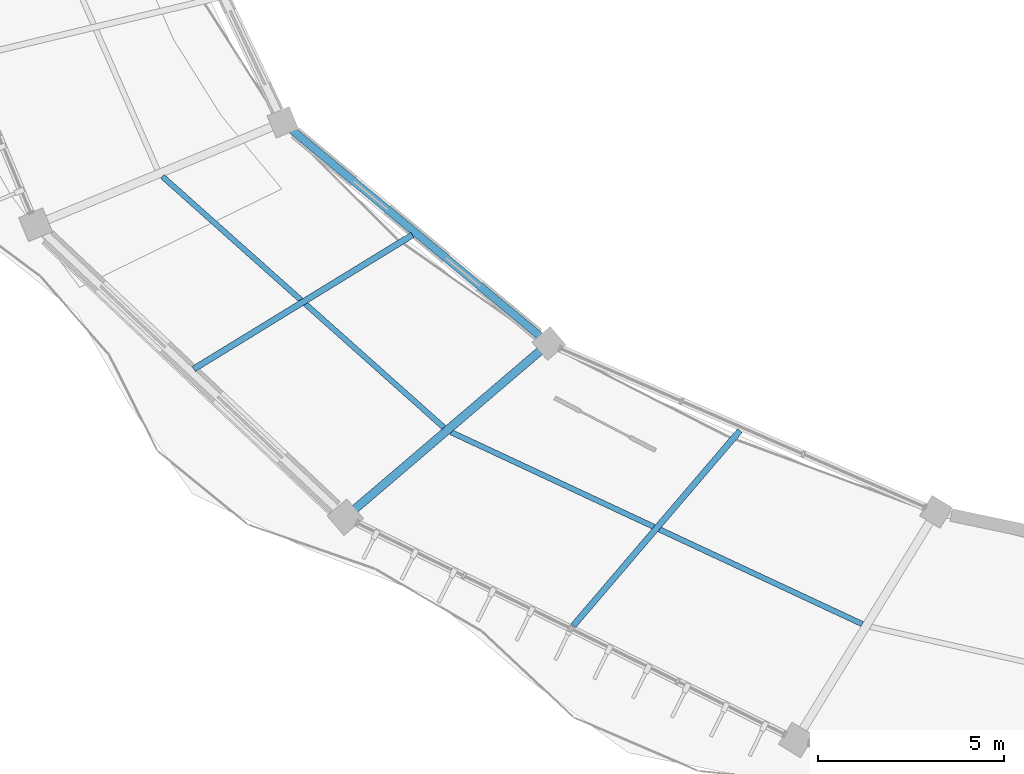
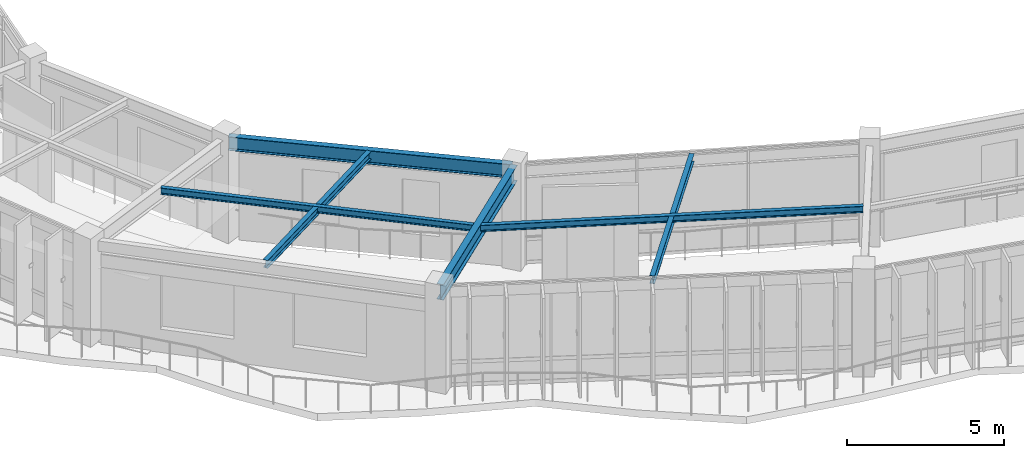
# One storey, part 35 of 138: 6 beams.
"""IFC4 building model written with IfcOpenShell, lengths in metres."""

from ifc_helpers import new_model, si_unit, direction, frame, origin, origin_2d, place, context, subcontext, project, spatial, i_section, extrude, material, material_profile, profile_set, type_object, element, save


model = new_model("IFC4")

# Units and contexts
model_context = context("Model", 3, precision=1e-05, world=origin(), true_north=direction((0.0, 1.0)))
body_context = subcontext(model_context, "Body", "Model", "MODEL_VIEW")
ifc_project = project(units=[si_unit("LENGTHUNIT", "METRE"), si_unit("AREAUNIT", "SQUARE_METRE"), si_unit("VOLUMEUNIT", "CUBIC_METRE"), si_unit("PLANEANGLEUNIT", "RADIAN"), si_unit("MASSUNIT", "GRAM", prefix="KILO"), si_unit("THERMODYNAMICTEMPERATUREUNIT", "KELVIN"), si_unit("POWERUNIT", "WATT")], contexts=[model_context])

# Site, building, storey
site_placement = place(None, origin())
site = spatial("IfcSite", under=ifc_project, at=site_placement, CompositionType="ELEMENT")
building_placement = place(site_placement, origin())
building = spatial("IfcBuilding", under=site, at=building_placement, Name="Darbajah Civic Hall", CompositionType="ELEMENT")
storey_placement = place(building_placement, frame((0.0, 0.0, 9.60009765625)))
storey = spatial("IfcBuildingStorey", under=building, at=storey_placement, Name="L02", CompositionType="ELEMENT", Elevation=9.60009765625)

# Beams
ifc_material = material(Name="Steel S355JR", Category="steel")
ifc_material_profile_1 = material_profile(ifc_material, i_section(OverallWidth=0.146484375, OverallDepth=0.256103515625, WebThickness=0.00634765625, FlangeThickness=0.010986328125, FilletRadius=0.007568359375, at=origin_2d()), Name="UB 254x146x37")
ifc_profile_set_1 = profile_set([ifc_material_profile_1], Name="Steel S355JR")
beam_type_1 = type_object("IfcBeamType", Name="UB 254x146x37", PredefinedType="JOIST", material=ifc_profile_set_1)
beam_1_placement = place(storey_placement, frame((45.394775390625, 79.811279296875, 3.7919921875), z_axis=(0.74637325764, -0.665527580405, 0.0), x_axis=(0.665527580405, 0.74637325764, 0.0)))
element("IfcBeam", 1, at=beam_1_placement, inside=storey, type_object=beam_type_1, Name="L02 beam SJ-254", PredefinedType="JOIST", context=body_context, shape_type="SweptSolid", body=[
    extrude(i_section(OverallWidth=0.146484375, OverallDepth=0.256103515625, WebThickness=0.00634765625, FlangeThickness=0.010986328125, FilletRadius=0.007568359375, at=origin_2d()), origin(), (0.0, 0.0, 1.0), 10.149658203125),
])
beam_2_placement = place(storey_placement, frame((53.161865234375, 72.93017578125, 3.7919921875), z_axis=(0.9061795649, -0.422893126164, 0.0), x_axis=(0.422893126164, 0.9061795649, 0.0)))
element("IfcBeam", 2, at=beam_2_placement, inside=storey, type_object=beam_type_1, Name="L02 beam SJ-254", PredefinedType="JOIST", context=body_context, shape_type="SweptSolid", body=[
    extrude(i_section(OverallWidth=0.146484375, OverallDepth=0.256103515625, WebThickness=0.00634765625, FlangeThickness=0.010986328125, FilletRadius=0.007568359375, at=origin_2d()), origin(), (0.0, 0.0, 1.0), 12.21240234375),
])
ifc_material_profile_2 = material_profile(ifc_material, i_section(OverallWidth=0.165771484375, OverallDepth=0.306640625, WebThickness=0.006591796875, FlangeThickness=0.01171875, FilletRadius=0.0087890625, at=origin_2d()), Name="UB 305x165x46")
ifc_profile_set_2 = profile_set([ifc_material_profile_2], Name="Steel S355JR")
beam_type_2 = type_object("IfcBeamType", Name="UB 305x165x46", PredefinedType="JOIST", material=ifc_profile_set_2)
beam_3_placement = place(storey_placement, frame((52.123779296875, 78.236328125, 3.7666015625), z_axis=(-0.852640388105, -0.522498199588, 0.0), x_axis=(0.522498199588, -0.852640388105, 0.0)))
element("IfcBeam", 3, at=beam_3_placement, inside=storey, type_object=beam_type_2, Name="L02 beam SJ-305", PredefinedType="JOIST", context=body_context, shape_type="SweptSolid", body=[
    extrude(i_section(OverallWidth=0.165771484375, OverallDepth=0.306640625, WebThickness=0.006591796875, FlangeThickness=0.01171875, FilletRadius=0.0087890625, at=origin_2d()), origin(), (0.0, 0.0, 1.0), 6.9033203125),
])
beam_4_placement = place(storey_placement, frame((60.935546875, 72.97119140625, 3.7666015625), z_axis=(-0.649438991654, -0.760413700639, 0.0), x_axis=(0.760413700639, -0.649438991654, 0.0)))
element("IfcBeam", 4, at=beam_4_placement, inside=storey, type_object=beam_type_2, Name="L02 beam SJ-305", PredefinedType="JOIST", context=body_context, shape_type="SweptSolid", body=[
    extrude(i_section(OverallWidth=0.165771484375, OverallDepth=0.306640625, WebThickness=0.006591796875, FlangeThickness=0.01171875, FilletRadius=0.0087890625, at=origin_2d()), origin(), (0.0, 0.0, 1.0), 6.903564453125),
])
ifc_material_profile_3 = material_profile(ifc_material, i_section(OverallWidth=0.209228515625, OverallDepth=0.533203125, WebThickness=0.010009765625, FlangeThickness=0.015625, FilletRadius=0.0126953125, at=origin_2d()), Name="UB 533x210x92")
ifc_profile_set_3 = profile_set([ifc_material_profile_3], Name="Steel S355JR")
beam_type_3 = type_object("IfcBeamType", Name="UB 533x210x92", PredefinedType="BEAM", material=ifc_profile_set_3)
beam_5_placement = place(storey_placement, frame((48.695556640625, 81.215087890625, 3.6533203125), z_axis=(0.769165350471, -0.63904981311, 0.0), x_axis=(0.63904981311, 0.769165350471, 0.0)))
element("IfcBeam", 5, at=beam_5_placement, inside=storey, type_object=beam_type_3, Name="L02 beam SB-533", PredefinedType="BEAM", context=body_context, shape_type="SweptSolid", body=[
    extrude(i_section(OverallWidth=0.209228515625, OverallDepth=0.533203125, WebThickness=0.010009765625, FlangeThickness=0.015625, FilletRadius=0.0126953125, at=origin_2d()), origin(), (0.0, 0.0, 1.0), 9.14892578125),
])
ifc_material_profile_4 = material_profile(ifc_material, i_section(OverallWidth=0.228271484375, OverallDepth=0.607666015625, WebThickness=0.010986328125, FlangeThickness=0.017333984375, FilletRadius=0.0126953125, at=origin_2d()), Name="UB 610x229x113")
ifc_profile_set_4 = profile_set([ifc_material_profile_4], Name="Steel S355JR")
beam_type_4 = type_object("IfcBeamType", Name="UB 610x229x113", PredefinedType="BEAM", material=ifc_profile_set_4)
beam_6_placement = place(storey_placement, frame((55.7333984375, 75.265380859375, 3.6162109375), z_axis=(-0.760413281686, -0.649439482197, 0.0), x_axis=(0.649439482197, -0.760413281686, 0.0)))
element("IfcBeam", 6, at=beam_6_placement, inside=storey, type_object=beam_type_4, Name="L02 beam SB-610", PredefinedType="BEAM", context=body_context, shape_type="SweptSolid", body=[
    extrude(i_section(OverallWidth=0.228271484375, OverallDepth=0.607666015625, WebThickness=0.010986328125, FlangeThickness=0.017333984375, FilletRadius=0.0126953125, at=origin_2d()), origin(), (0.0, 0.0, 1.0), 7.0400390625),
])

save(model, "model.ifc")
